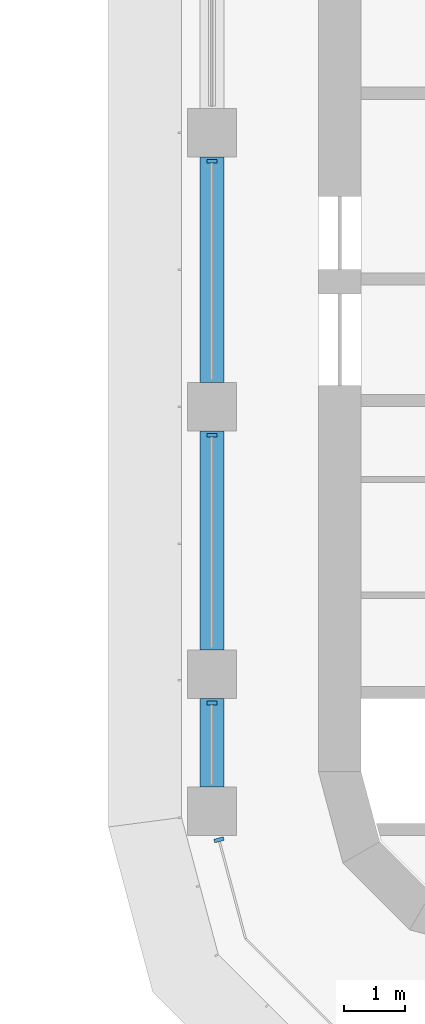
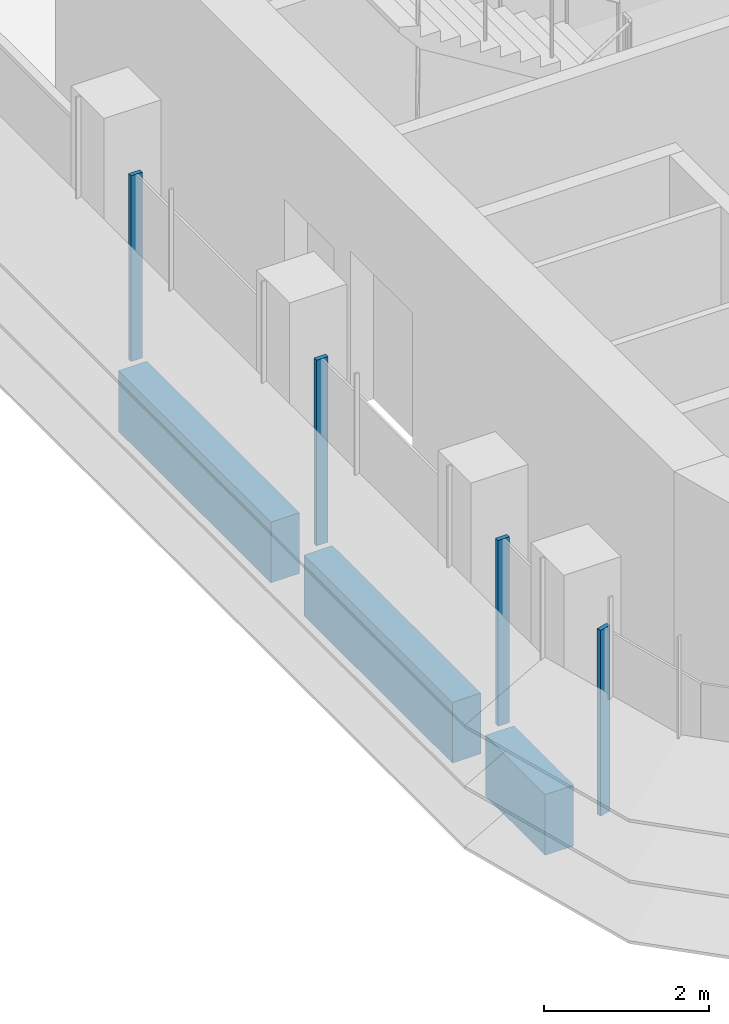
# One storey, part 2 of 19: 4 members, 3 beams, 2 elements without a shape of their own.
"""IFC4 building model written with IfcOpenShell, lengths in metres."""

from ifc_helpers import new_model, si_unit, direction, frame, origin, origin_2d, place, context, subcontext, project, spatial, polyline, rectangle, outline, extrude, source, transform, mapped, material, material_profile, profile_set, type_object, element, aggregate, save


model = new_model("IFC4")

# Units and contexts
model_context = context("Model", 3, precision=1e-05, world=origin(), true_north=direction((0.0, 1.0)))
body_context = subcontext(model_context, "Body", "Model", "MODEL_VIEW")
ifc_project = project(units=[si_unit("LENGTHUNIT", "METRE"), si_unit("AREAUNIT", "SQUARE_METRE"), si_unit("VOLUMEUNIT", "CUBIC_METRE"), si_unit("PLANEANGLEUNIT", "RADIAN"), si_unit("MASSUNIT", "GRAM", prefix="KILO")], contexts=[model_context])

# Site, building, storey
site_placement = place(None, origin())
site = spatial("IfcSite", under=ifc_project, at=site_placement, CompositionType="ELEMENT")
building_placement = place(site_placement, origin())
building = spatial("IfcBuilding", under=site, at=building_placement, Name="Zarbagh Exchange Tower", CompositionType="ELEMENT")
storey_placement = place(building_placement, frame((0.0, 0.0, 171.39990234375)))
storey = spatial("IfcBuildingStorey", under=building, at=storey_placement, Name="L41", CompositionType="ELEMENT", Elevation=171.39990234375)

# Beams
ifc_material_1 = material(Name="Concrete C50/60", Category="concrete")
ifc_material_profile = material_profile(ifc_material_1, rectangle(XDim=0.39990234375, YDim=0.89990234375, at=origin_2d()), Name="RC spandrel beam 400 x 900 C50/60")
ifc_profile_set = profile_set([ifc_material_profile], Name="Concrete C50/60")
beam_type = type_object("IfcBeamType", Name="RC spandrel beam 400 x 900 C50/60", PredefinedType="SPANDREL", material=ifc_profile_set)
beam_1_placement = place(storey_placement, frame((-6.25, -26.5, -0.599853515625), z_axis=(0.0, 1.0, 0.0), x_axis=(-1.0, 0.0, 0.0)))
element("IfcBeam", 1, at=beam_1_placement, inside=storey, type_object=beam_type, Name="RC spandrel beam", PredefinedType="SPANDREL", context=body_context, shape_type="SweptSolid", body=[
    extrude(rectangle(XDim=0.39990234375, YDim=0.89990234375, at=origin_2d()), origin(), (0.0, 0.0, 1.0), 1.449951171875),
])
beam_2_placement = place(storey_placement, frame((-6.25, -24.25, -0.599853515625), z_axis=(0.0, 1.0, 0.0), x_axis=(-1.0, 0.0, 0.0)))
element("IfcBeam", 2, at=beam_2_placement, inside=storey, type_object=beam_type, Name="RC spandrel beam", PredefinedType="SPANDREL", context=body_context, shape_type="SweptSolid", body=[
    extrude(rectangle(XDim=0.39990234375, YDim=0.89990234375, at=origin_2d()), origin(), (0.0, 0.0, 1.0), 3.60009765625),
])
beam_3_placement = place(storey_placement, frame((-6.25, -19.85009765625, -0.599853515625), z_axis=(0.0, 1.0, 0.0), x_axis=(-1.0, 0.0, 0.0)))
element("IfcBeam", 3, at=beam_3_placement, inside=storey, type_object=beam_type, Name="RC spandrel beam", PredefinedType="SPANDREL", context=body_context, shape_type="SweptSolid", body=[
    extrude(rectangle(XDim=0.39990234375, YDim=0.89990234375, at=origin_2d()), origin(), (0.0, 0.0, 1.0), 3.7001953125),
])

# Curtain wall, members
ifc_material_2 = material(Name="Anodised aluminium frame and glazing", Category="aluminium")
curtain_wall_type = type_object("IfcCurtainWallType", Name="CWB Ribbon glazing, upper zones", PredefinedType="NOTDEFINED", material=ifc_material_2)
curtain_wall_1_placement = place(storey_placement, origin())
curtain_wall_1 = element("IfcCurtainWall", 4, at=curtain_wall_1_placement, inside=storey, type_object=curtain_wall_type, Name="CWB53 curtain wall", PredefinedType="NOTDEFINED")
ifc_material_3 = material(Name="Anodised aluminium frame", Category="aluminium")
member_type = type_object("IfcMemberType", Name="MUB Mullion, anodised aluminium frame", PredefinedType="MULLION", material=ifc_material_3)
shared_shape = source(origin(), body_context, "Body", "SweptSolid", [
    extrude(outline(polyline([(0.0, -0.080078125), (0.06005859375, -0.080078125), (0.06005859375, 0.080078125), (0.0, 0.080078125), (0.0, -0.080078125)])), origin(), (0.0, 0.0, 1.0), 2.75),
])
placement = place(storey_placement, origin())
member_1 = element("IfcMember", 5, at=placement, type_object=member_type, Name="CWB53 mullion 2.1", PredefinedType="MULLION", context=body_context, shape_type="MappedRepresentation", body=[
    mapped(shared_shape, transform((-6.25, -16.18994140625, 0.0), x_axis=(0.0, -1.0, 0.0), y_axis=(1.0, 0.0, 0.0), z_axis=(0.0, 0.0, 1.0))),
])
member_2 = element("IfcMember", 6, at=placement, type_object=member_type, Name="CWB53 mullion 3.1", PredefinedType="MULLION", context=body_context, shape_type="MappedRepresentation", body=[
    mapped(shared_shape, transform((-6.25, -20.68994140625, 0.0), x_axis=(0.0, -1.0, 0.0), y_axis=(1.0, 0.0, 0.0), z_axis=(0.0, 0.0, 1.0))),
])
member_3 = element("IfcMember", 7, at=placement, type_object=member_type, Name="CWB53 mullion 4.1", PredefinedType="MULLION", context=body_context, shape_type="MappedRepresentation", body=[
    mapped(shared_shape, transform((-6.25, -25.090087890625, 0.0), x_axis=(0.0, -1.0, 0.0), y_axis=(1.0, 0.0, 0.0), z_axis=(0.0, 0.0, 1.0))),
])
aggregate(curtain_wall_1, [member_1, member_2, member_3])

# Curtain wall, member
curtain_wall_2_placement = place(storey_placement, origin())
curtain_wall_2 = element("IfcCurtainWall", 8, at=curtain_wall_2_placement, inside=storey, type_object=curtain_wall_type, Name="CWB54 curtain wall", PredefinedType="NOTDEFINED")
member_4 = element("IfcMember", 9, at=placement, type_object=member_type, Name="CWB54 mullion 1.1", PredefinedType="MULLION", context=body_context, shape_type="MappedRepresentation", body=[
    mapped(shared_shape, transform((-6.141357421875, -27.33984375, 0.0), x_axis=(0.258824779902, -0.965924289636, 0.0), y_axis=(0.965924289636, 0.258824779902, 0.0), z_axis=(0.0, 0.0, 1.0))),
])
aggregate(curtain_wall_2, [member_4])

save(model, "model.ifc")
